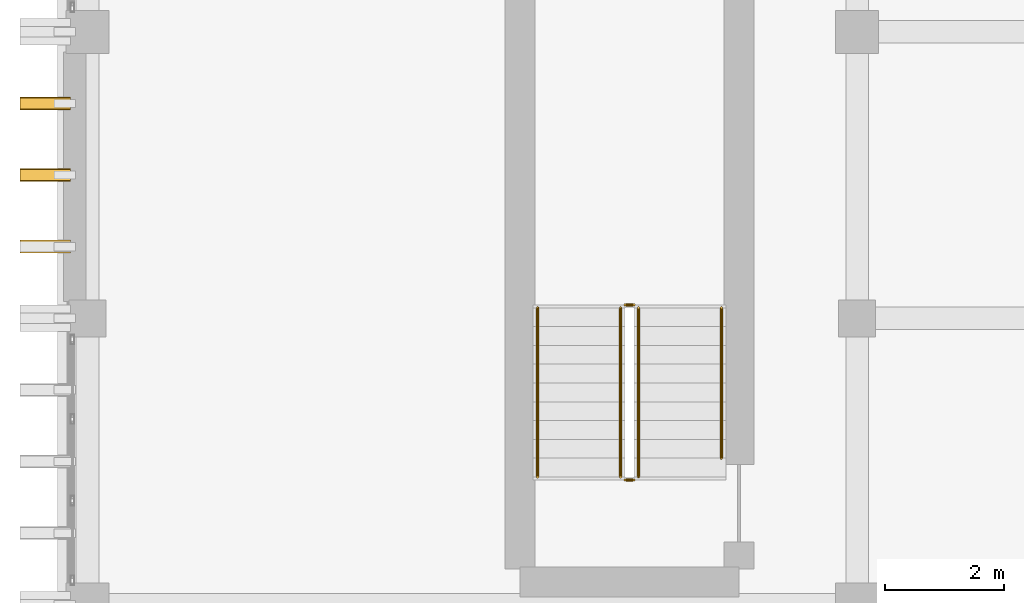
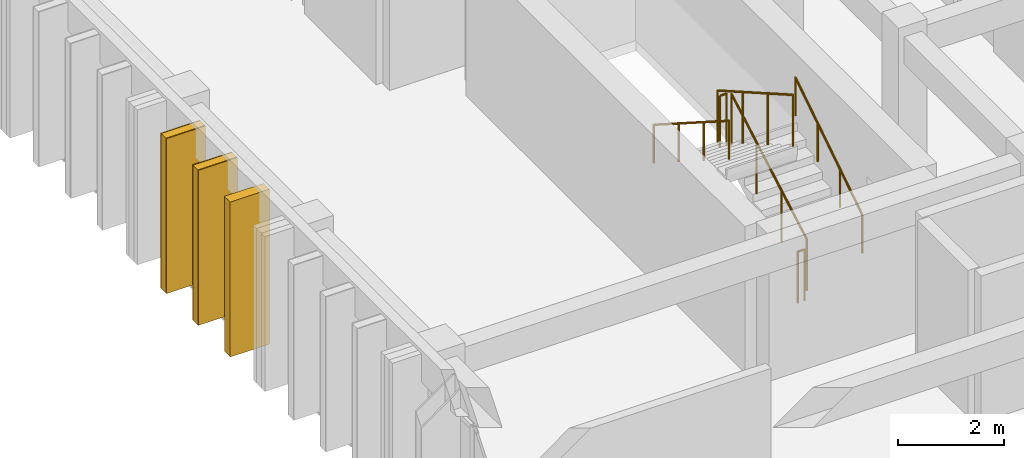
# One storey, part 55 of 59: 6 railings, 3 coverings, 2 shading devices.
"""IFC4 building model written with IfcOpenShell, lengths in metres."""

from ifc_helpers import new_model, si_unit, direction, frame, origin, origin_2d, place, context, subcontext, project, spatial, rectangle, circle, extrude, material, layer, layer_set, type_object, element, save


model = new_model("IFC4")

# Units and contexts
model_context = context("Model", 3, precision=1e-05, world=origin(), true_north=direction((0.0, 1.0)))
body_context = subcontext(model_context, "Body", "Model", "MODEL_VIEW")
ifc_project = project(units=[si_unit("LENGTHUNIT", "METRE"), si_unit("AREAUNIT", "SQUARE_METRE"), si_unit("VOLUMEUNIT", "CUBIC_METRE"), si_unit("PLANEANGLEUNIT", "RADIAN"), si_unit("MASSUNIT", "GRAM", prefix="KILO")], contexts=[model_context])

# Site, building, storey
site_placement = place(None, origin())
site = spatial("IfcSite", under=ifc_project, at=site_placement, CompositionType="ELEMENT")
building_placement = place(site_placement, origin())
building = spatial("IfcBuilding", under=site, at=building_placement, Name="Nakhvara Creek Congress Hotel", CompositionType="ELEMENT")
storey_placement = place(building_placement, frame((0.0, 0.0, 31.800048828125)))
storey = spatial("IfcBuildingStorey", under=building, at=storey_placement, Name="L07", CompositionType="ELEMENT", Elevation=31.800048828125)

# Coverings
ifc_material_1 = material(Name="Honed pale Omani limestone architectural cladding", Category="masonry")
ifc_layer = layer(ifc_material_1, 0.219970703125)
ifc_layer_set = layer_set([ifc_layer], Name="Honed pale Omani limestone architectural cladding")
covering_type = type_object("IfcCoveringType", Name="COV-FIN-850", PredefinedType="CLADDING", material=ifc_layer_set)
for number, where, z_axis, x_axis, name in (
    (1, (148.7451171875, 82.800048828125, 0.0), (0.0, 0.0, 1.0), (0.0, 1.0, 0.0), "Pale Limestone Fin Cladding CF01-1860"),
    (2, (148.7451171875, 84.0, 0.0), (0.0, 0.0, 1.0), (0.0, 1.0, 0.0), "Pale Limestone Fin Cladding CF01-1862"),
    (3, (148.7451171875, 85.199951171875, 0.0), (0.0, 0.0, 1.0), (0.0, 1.0, 0.0), "Pale Limestone Fin Cladding CF01-1864"),
):
    element("IfcCovering", number, at=place(storey_placement, frame(where, z_axis=z_axis, x_axis=x_axis)), inside=storey, type_object=covering_type, Name=name, PredefinedType="CLADDING", context=body_context, shape_type="SweptSolid", body=[
        extrude(rectangle(XDim=0.219970703125, YDim=0.85009765625, at=origin_2d()), origin(), (0.0, 0.0, 1.0), 3.56005859375),
    ])

# Railings
ifc_material_2 = material(Name="Brushed stainless steel 316L", Category="steel")
railing_type_1 = type_object("IfcRailingType", Name="RL-GUARD-1200", PredefinedType="GUARDRAIL", material=ifc_material_2)
railing_1_placement = place(storey_placement, frame((158.68505859375, 78.93994140625, 0.179931640625)))
element("IfcRailing", 4, at=railing_1_placement, inside=storey, type_object=railing_type_1, Name="L07 ST01 stair guard 1", PredefinedType="GUARDRAIL", context=body_context, shape_type="SweptSolid", body=[
    extrude(circle(Radius=0.02392578125, at=origin_2d()), frame((0.0, 0.0126953125, 1.18310546875), z_axis=(0.0, 0.868224736699, 0.496171146464), x_axis=(-1.0, 0.0, 0.0)), (0.0, 0.0, 1.0), 3.23583984375),
    extrude(circle(Radius=0.02099609375, at=origin_2d()), origin(), (0.0, 0.0, 1.0), 1.1806640625),
    extrude(circle(Radius=0.02099609375, at=origin_2d()), frame((0.0, 0.945068359375, 0.5400390625)), (0.0, 0.0, 1.0), 1.1806640625),
    extrude(circle(Radius=0.02099609375, at=origin_2d()), frame((0.0, 1.889892578125, 1.080078125)), (0.0, 0.0, 1.0), 1.1806640625),
    extrude(circle(Radius=0.02099609375, at=origin_2d()), frame((0.0, 2.8349609375, 1.6201171875)), (0.0, 0.0, 1.0), 1.1806640625),
])
railing_2_placement = place(storey_placement, frame((158.610107421875, 81.824951171875, 1.800048828125)))
element("IfcRailing", 5, at=railing_2_placement, inside=storey, type_object=railing_type_1, Name="L07 ST01 stair guard 2", PredefinedType="GUARDRAIL", context=body_context, shape_type="SweptSolid", body=[
    extrude(circle(Radius=0.02392578125, at=origin_2d()), frame((-0.0146484375, 0.0, 1.17578125), z_axis=(-1.0, 0.0, 0.0), x_axis=(0.0, -1.0, 0.0)), (0.0, 0.0, 1.0), 0.120849609375),
    extrude(circle(Radius=0.02099609375, at=origin_2d()), origin(), (0.0, 0.0, 1.0), 1.1806640625),
    extrude(circle(Radius=0.02099609375, at=origin_2d()), frame((-0.150146484375, 0.0, 0.0)), (0.0, 0.0, 1.0), 1.1806640625),
])
railing_3_placement = place(storey_placement, frame((158.385009765625, 81.77490234375, 1.97998046875)))
element("IfcRailing", 6, at=railing_3_placement, inside=storey, type_object=railing_type_1, Name="L07 ST01 stair guard 3", PredefinedType="GUARDRAIL", context=body_context, shape_type="SweptSolid", body=[
    extrude(circle(Radius=0.02392578125, at=origin_2d()), frame((0.0, -0.0126953125, 1.18310546875), z_axis=(0.0, -0.868256945921, 0.496114780932), x_axis=(1.0, 0.0, 0.0)), (0.0, 0.0, 1.0), 3.23583984375),
    extrude(circle(Radius=0.02099609375, at=origin_2d()), origin(), (0.0, 0.0, 1.0), 1.1806640625),
    extrude(circle(Radius=0.02099609375, at=origin_2d()), frame((0.0, -0.945068359375, 0.5400390625)), (0.0, 0.0, 1.0), 1.1806640625),
    extrude(circle(Radius=0.02099609375, at=origin_2d()), frame((0.0, -1.889892578125, 1.079833984375)), (0.0, 0.0, 1.0), 1.1806640625),
    extrude(circle(Radius=0.02099609375, at=origin_2d()), frame((0.0, -2.8349609375, 1.619873046875)), (0.0, 0.0, 1.0), 1.1806640625),
])
railing_4_placement = place(storey_placement, frame((158.610107421875, 78.889892578125, 0.0)))
element("IfcRailing", 7, at=railing_4_placement, inside=storey, type_object=railing_type_1, Name="L07 ST01 stair guard 4", PredefinedType="GUARDRAIL", context=body_context, shape_type="SweptSolid", body=[
    extrude(circle(Radius=0.02392578125, at=origin_2d()), frame((-0.0146484375, 0.0, 1.17578125), z_axis=(-1.0, 0.0, 0.0), x_axis=(0.0, -1.0, 0.0)), (0.0, 0.0, 1.0), 0.120849609375),
    extrude(circle(Radius=0.02099609375, at=origin_2d()), origin(), (0.0, 0.0, 1.0), 1.1806640625),
    extrude(circle(Radius=0.02099609375, at=origin_2d()), frame((-0.150146484375, 0.0, 0.0)), (0.0, 0.0, 1.0), 1.1806640625),
])
railing_type_2 = type_object("IfcRailingType", Name="RL-HAND-900", PredefinedType="HANDRAIL", material=ifc_material_2)
railing_5_placement = place(storey_placement, frame((160.074951171875, 79.2548828125, 0.35986328125)))
element("IfcRailing", 8, at=railing_5_placement, inside=storey, type_object=railing_type_2, Name="L07 ST01 stair handrail 1", PredefinedType="HANDRAIL", context=body_context, shape_type="SweptSolid", body=[
    extrude(circle(Radius=0.02392578125, at=origin_2d()), frame((0.0, 0.012451171875, 0.8837890625), z_axis=(0.0, 0.8394937775, 0.543369301248), x_axis=(-1.0, 0.0, 0.0)), (0.0, 0.0, 1.0), 2.972412109375),
    extrude(circle(Radius=0.02099609375, at=origin_2d()), origin(), (0.0, 0.0, 1.0), 0.880615234375),
    extrude(circle(Radius=0.02099609375, at=origin_2d()), frame((0.0, 0.840087890625, 0.543701171875)), (0.0, 0.0, 1.0), 0.880615234375),
    extrude(circle(Radius=0.02099609375, at=origin_2d()), frame((0.0, 1.679931640625, 1.08740234375)), (0.0, 0.0, 1.0), 0.880615234375),
    extrude(circle(Radius=0.02099609375, at=origin_2d()), frame((0.0, 2.52001953125, 1.631103515625)), (0.0, 0.0, 1.0), 0.880615234375),
])
railing_6_placement = place(storey_placement, frame((156.9951171875, 81.77490234375, 1.97998046875)))
element("IfcRailing", 9, at=railing_6_placement, inside=storey, type_object=railing_type_2, Name="L07 ST01 stair handrail 2", PredefinedType="HANDRAIL", context=body_context, shape_type="SweptSolid", body=[
    extrude(circle(Radius=0.02392578125, at=origin_2d()), frame((0.0, -0.012451171875, 0.8837890625), z_axis=(0.0, -0.842721868308, 0.538349192138), x_axis=(1.0, 0.0, 0.0)), (0.0, 0.0, 1.0), 3.334716796875),
    extrude(circle(Radius=0.02099609375, at=origin_2d()), origin(), (0.0, 0.0, 1.0), 0.880615234375),
    extrude(circle(Radius=0.02099609375, at=origin_2d()), frame((0.0, -0.945068359375, 0.603759765625)), (0.0, 0.0, 1.0), 0.880615234375),
    extrude(circle(Radius=0.02099609375, at=origin_2d()), frame((0.0, -1.889892578125, 1.207275390625)), (0.0, 0.0, 1.0), 0.880615234375),
    extrude(circle(Radius=0.02099609375, at=origin_2d()), frame((0.0, -2.8349609375, 1.81103515625)), (0.0, 0.0, 1.0), 0.880615234375),
])

# Shading devices
ifc_material_3 = material(Name="Honed pale Omani limestone cladding on stainless steel spine", Category="masonry")
shading_device_type = type_object("IfcShadingDeviceType", Name="SHD-FIN-850X3600", PredefinedType="USERDEFINED", material=ifc_material_3)
for number, where, z_axis, x_axis, name in (
    (10, (148.7451171875, 84.0, 0.0), (0.0, 0.0, 1.0), (0.0, 1.0, 0.0), "Limestone Solar Fin FN01-1727"),
    (11, (148.7451171875, 85.199951171875, 0.0), (0.0, 0.0, 1.0), (0.0, 1.0, 0.0), "Limestone Solar Fin FN01-1729"),
):
    element("IfcShadingDevice", number, at=place(storey_placement, frame(where, z_axis=z_axis, x_axis=x_axis)), inside=storey, type_object=shading_device_type, Name=name, ObjectType="FIN", PredefinedType="USERDEFINED", context=body_context, shape_type="SweptSolid", body=[
        extrude(rectangle(XDim=0.179931640625, YDim=0.85009765625, at=origin_2d()), origin(), (0.0, 0.0, 1.0), 3.56005859375),
    ])

save(model, "model.ifc")
